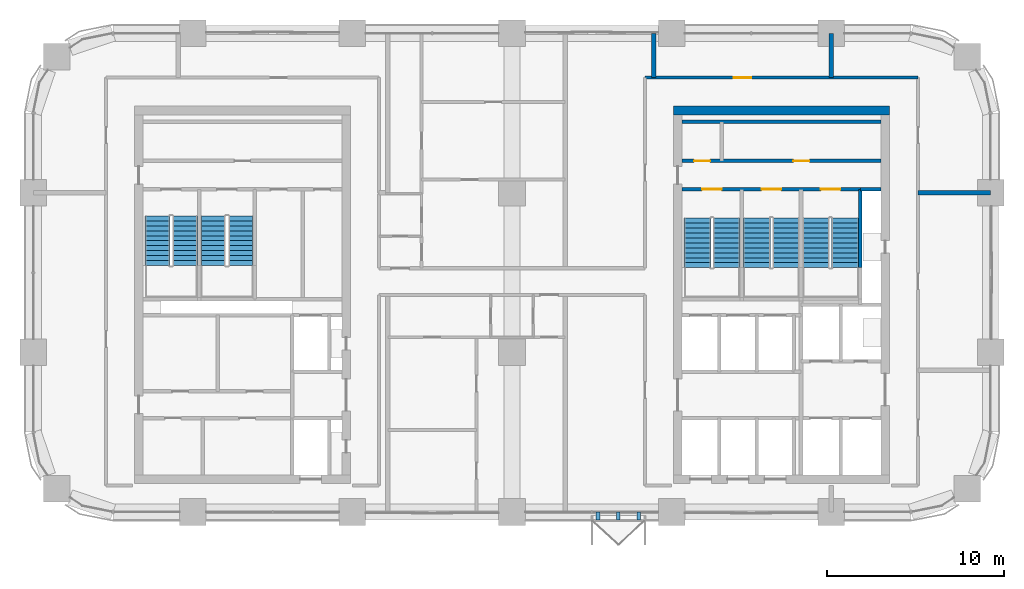
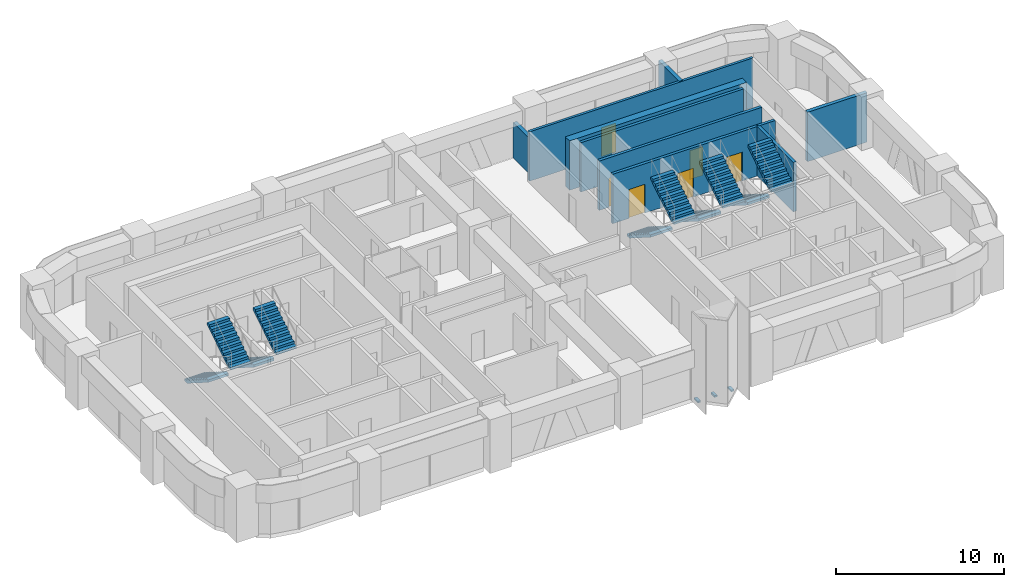
# One storey, part 12 of 14: 10 stair flights, 10 walls, 6 doors, 3 discrete accessories, 6 openings, 5 elements without a shape of their own.
"""IFC4 building model written with IfcOpenShell, lengths in metres."""

from ifc_helpers import new_model, si_unit, direction, frame, frame_2d, origin, origin_2d, place, context, subcontext, project, spatial, polyline, rectangle, outline, extrude, material, layer, layer_set, type_object, element, fill, aggregate, save


model = new_model("IFC4")

# Units and contexts
model_context = context("Model", 3, precision=1e-05, world=origin(), true_north=direction((0.0, 1.0)))
body_context = subcontext(model_context, "Body", "Model", "MODEL_VIEW")
ifc_project = project(units=[si_unit("LENGTHUNIT", "METRE"), si_unit("AREAUNIT", "SQUARE_METRE"), si_unit("VOLUMEUNIT", "CUBIC_METRE"), si_unit("PLANEANGLEUNIT", "RADIAN"), si_unit("MASSUNIT", "GRAM", prefix="KILO")], contexts=[model_context])

# Site, building, storey
site_placement = place(None, origin())
site = spatial("IfcSite", under=ifc_project, at=site_placement, CompositionType="ELEMENT")
building_placement = place(site_placement, origin())
building = spatial("IfcBuilding", under=site, at=building_placement, Name="Tessera Arch", CompositionType="ELEMENT")
storey_placement = place(building_placement, frame((0.0, 0.0, 134.89990234375)))
storey = spatial("IfcBuildingStorey", under=building, at=storey_placement, Name="L31", CompositionType="ELEMENT", Elevation=134.89990234375)

# Wall, openings, doors
ifc_material_1 = material(Name="Gypsum board on steel stud", Category="steel")
ifc_layer_1 = layer(ifc_material_1, 0.125)
ifc_layer_set_1 = layer_set([ifc_layer_1], Name="Core partition 125 EI 60")
wall_type_1 = type_object("IfcWallType", Name="Core partition 125 EI 60", PredefinedType="PARTITIONING", material=ifc_layer_set_1)
wall_1_placement = place(storey_placement, frame((36.60009765625, 46.800048828125, 0.0), z_axis=(0.0, 0.0, 1.0), x_axis=(1.0, 0.0, 0.0)))
wall_1 = element("IfcWall", 1, at=wall_1_placement, inside=storey, type_object=wall_type_1, Name="L31 C1 partition wall 31", PredefinedType="PARTITIONING", context=body_context, shape_type="SweptSolid", body=[
    extrude(rectangle(XDim=11.199951171875, YDim=0.199951171875, at=frame_2d((5.60009765625, 0.0))), origin(), (0.0, 0.0, 1.0), 3.60009765625),
])
opening_1_placement = place(wall_1_placement, frame((0.669921875, 0.0, 0.0)))
opening_1 = element("IfcOpeningElement", 2, at=opening_1_placement, cuts=wall_1, Name="Opening L31-C18", PredefinedType="OPENING", context=body_context, shape_type="SweptSolid", body=[
    extrude(rectangle(XDim=0.89990234375, YDim=2.10009765625, at=frame_2d((0.449951171875, 1.050048828125))), frame((0.0, 0.10986328125, 0.0), z_axis=(0.0, -1.0, 0.0), x_axis=(1.0, 0.0, 0.0)), (0.0, 0.0, 1.0), 0.219970703125),
])
opening_2_placement = place(wall_1_placement, frame((6.27001953125, 0.0, 0.0)))
opening_2 = element("IfcOpeningElement", 3, at=opening_2_placement, cuts=wall_1, Name="Opening L31-C19", PredefinedType="OPENING", context=body_context, shape_type="SweptSolid", body=[
    extrude(rectangle(XDim=0.89990234375, YDim=2.10009765625, at=frame_2d((0.449951171875, 1.050048828125))), frame((0.0, 0.10986328125, 0.0), z_axis=(0.0, -1.0, 0.0), x_axis=(1.0, 0.0, 0.0)), (0.0, 0.0, 1.0), 0.219970703125),
])
ifc_material_2 = material(Name="Steel door leaf", Category="steel")
door_type_1 = type_object("IfcDoorType", Name="Store door FD30S 900 x 2100", OperationType="SINGLE_SWING_LEFT", PredefinedType="DOOR", material=ifc_material_2)
door_1_placement = place(opening_1_placement, origin())
door_1 = element("IfcDoor", 4, at=door_1_placement, inside=storey, type_object=door_type_1, Name="L31 C1 door 18 C18 type D09", OperationType="SINGLE_SWING_LEFT", OverallHeight=2.10009765625, OverallWidth=0.89990234375, PredefinedType="DOOR", context=body_context, shape_type="SweptSolid", body=[
    extrude(rectangle(XDim=0.89990234375, YDim=2.10009765625, at=frame_2d((0.449951171875, 1.050048828125))), frame((0.0, 0.02490234375, 0.0), z_axis=(0.0, -1.0, 0.0), x_axis=(1.0, 0.0, 0.0)), (0.0, 0.0, 1.0), 0.050048828125),
])
fill(opening_1, door_1)
door_2_placement = place(opening_2_placement, origin())
door_2 = element("IfcDoor", 5, at=door_2_placement, inside=storey, type_object=door_type_1, Name="L31 C1 door 19 C19 type D09", OperationType="SINGLE_SWING_RIGHT", OverallHeight=2.10009765625, OverallWidth=0.89990234375, PredefinedType="DOOR", context=body_context, shape_type="SweptSolid", body=[
    extrude(rectangle(XDim=0.89990234375, YDim=2.10009765625, at=frame_2d((0.449951171875, 1.050048828125))), frame((0.0, 0.02490234375, 0.0), z_axis=(0.0, -1.0, 0.0), x_axis=(1.0, 0.0, 0.0)), (0.0, 0.0, 1.0), 0.050048828125),
])
fill(opening_2, door_2)

# Walls
wall_2_placement = place(storey_placement, frame((36.60009765625, 49.0, 0.0), z_axis=(0.0, 0.0, 1.0), x_axis=(1.0, 0.0, 0.0)))
element("IfcWall", 6, at=wall_2_placement, inside=storey, type_object=wall_type_1, Name="L31 C1 partition wall 32", PredefinedType="PARTITIONING", context=body_context, shape_type="SweptSolid", body=[
    extrude(rectangle(XDim=11.199951171875, YDim=0.199951171875, at=frame_2d((5.60009765625, 0.0))), origin(), (0.0, 0.0, 1.0), 3.60009765625),
])
ifc_material_3 = material(Name="Concrete C60/75", Category="concrete")
ifc_layer_2 = layer(ifc_material_3, 0.5)
ifc_layer_set_2 = layer_set([ifc_layer_2], Name="Core shell wall 500 C60-75")
wall_type_2 = type_object("IfcWallType", Name="Core shell wall 500 C60-75", PredefinedType="SHEAR", material=ifc_layer_set_2)
wall_3_placement = place(storey_placement, frame((36.10009765625, 49.64990234375, 0.0), z_axis=(0.0, 0.0, 1.0), x_axis=(1.0, 0.0, 0.0)))
element("IfcWall", 7, at=wall_3_placement, inside=storey, type_object=wall_type_2, Name="L31 C1 core wall N", PredefinedType="SHEAR", context=body_context, shape_type="SweptSolid", body=[
    extrude(rectangle(XDim=12.199951171875, YDim=0.5, at=frame_2d((6.10009765625, 0.0))), origin(), (0.0, 0.0, 1.0), 3.60009765625),
])

# Wall, opening, door
ifc_material_4 = material(Name="Gypsum board on deep steel stud with mineral wool", Category="steel")
ifc_layer_3 = layer(ifc_material_4, 0.175048828125)
ifc_layer_set_3 = layer_set([ifc_layer_3], Name="Corridor wall 175 EI 60")
wall_type_3 = type_object("IfcWallType", Name="Corridor wall 175 EI 60", PredefinedType="PARTITIONING", material=ifc_layer_set_3)
wall_4_placement = place(storey_placement, frame((34.5, 51.5, 0.0), z_axis=(0.0, 0.0, 1.0), x_axis=(1.0, 0.0, 0.0)))
wall_4 = element("IfcWall", 8, at=wall_4_placement, inside=storey, type_object=wall_type_3, Name="L31 partition 8", PredefinedType="PARTITIONING", context=body_context, shape_type="SweptSolid", body=[
    extrude(rectangle(XDim=15.39990234375, YDim=0.175048828125, at=frame_2d((7.699951171875, 0.0))), origin(), (0.0, 0.0, 1.0), 3.60009765625),
])
opening_3_placement = place(wall_4_placement, frame((5.0, 0.0, 0.0)))
opening_3 = element("IfcOpeningElement", 9, at=opening_3_placement, cuts=wall_4, Name="Opening L31-D023", PredefinedType="OPENING", context=body_context, shape_type="SweptSolid", body=[
    extrude(rectangle(XDim=1.0, YDim=2.10009765625, at=frame_2d((0.5, 1.050048828125))), frame((0.0, 0.097412109375, 0.0), z_axis=(0.0, -1.0, 0.0), x_axis=(1.0, 0.0, 0.0)), (0.0, 0.0, 1.0), 0.195068359375),
])
ifc_material_5 = material(Name="Fire-rated door leaf")
door_type_2 = type_object("IfcDoorType", Name="Entrance door FD30S 1000 x 2100", OperationType="SINGLE_SWING_LEFT", PredefinedType="DOOR", material=ifc_material_5)
door_3_placement = place(opening_3_placement, origin())
door_3 = element("IfcDoor", 10, at=door_3_placement, inside=storey, type_object=door_type_2, Name="L31 door D023 type D03", OperationType="SINGLE_SWING_RIGHT", OverallHeight=2.10009765625, OverallWidth=1.0, PredefinedType="DOOR", context=body_context, shape_type="SweptSolid", body=[
    extrude(rectangle(XDim=1.0, YDim=2.10009765625, at=frame_2d((0.5, 1.050048828125))), frame((0.0, 0.02490234375, 0.0), z_axis=(0.0, -1.0, 0.0), x_axis=(1.0, 0.0, 0.0)), (0.0, 0.0, 1.0), 0.050048828125),
])
fill(opening_3, door_3)

# Walls
ifc_material_6 = material(Name="Double gypsum board on twin steel stud with acoustic mineral wool", Category="steel")
ifc_layer_4 = layer(ifc_material_6, 0.25)
ifc_layer_set_4 = layer_set([ifc_layer_4], Name="Party wall 250 EI 60")
wall_type_4 = type_object("IfcWallType", Name="Party wall 250 EI 60", PredefinedType="PARTITIONING", material=ifc_layer_set_4)
wall_5_placement = place(storey_placement, frame((49.89990234375, 45.0, 0.0), z_axis=(0.0, 0.0, 1.0), x_axis=(1.0, 0.0, 0.0)))
element("IfcWall", 11, at=wall_5_placement, inside=storey, type_object=wall_type_4, Name="L31 partition 27", PredefinedType="PARTITIONING", context=body_context, shape_type="SweptSolid", body=[
    extrude(rectangle(XDim=4.10009765625, YDim=0.25, at=frame_2d((2.050048828125, 0.0))), origin(), (0.0, 0.0, 1.0), 3.60009765625),
])
wall_6_placement = place(storey_placement, frame((35.0, 51.5, 0.0), z_axis=(0.0, 0.0, 1.0), x_axis=(0.0, 1.0, 0.0)))
element("IfcWall", 12, at=wall_6_placement, inside=storey, type_object=wall_type_4, Name="L31 partition 33", PredefinedType="PARTITIONING", context=body_context, shape_type="SweptSolid", body=[
    extrude(rectangle(XDim=2.5, YDim=0.25, at=frame_2d((1.25, 0.0))), origin(), (0.0, 0.0, 1.0), 2.60009765625),
])
wall_7_placement = place(storey_placement, frame((45.0, 51.5, 0.0), z_axis=(0.0, 0.0, 1.0), x_axis=(0.0, 1.0, 0.0)))
element("IfcWall", 13, at=wall_7_placement, inside=storey, type_object=wall_type_4, Name="L31 partition 35", PredefinedType="PARTITIONING", context=body_context, shape_type="SweptSolid", body=[
    extrude(rectangle(XDim=2.5, YDim=0.25, at=frame_2d((1.25, 0.0))), origin(), (0.0, 0.0, 1.0), 3.60009765625),
])
ifc_material_7 = material(Name="Concrete C40/50", Category="concrete")
ifc_layer_5 = layer(ifc_material_7, 0.199951171875)
ifc_layer_set_5 = layer_set([ifc_layer_5], Name="Shaft wall 200 EI 120")
wall_type_5 = type_object("IfcWallType", Name="Shaft wall 200 EI 120", PredefinedType="SOLIDWALL", material=ifc_layer_set_5)
wall_8_placement = place(storey_placement, frame((46.64990234375, 45.199951171875, 0.0), z_axis=(0.0, 0.0, 1.0), x_axis=(1.0, 0.0, 0.0)))
element("IfcWall", 14, at=wall_8_placement, inside=storey, type_object=wall_type_5, Name="L31 C1 shaft wall 29", PredefinedType="SOLIDWALL", context=body_context, shape_type="SweptSolid", body=[
    extrude(rectangle(XDim=1.150146484375, YDim=0.199951171875, at=frame_2d((0.5751953125, 0.0))), origin(), (0.0, 0.0, 1.0), 3.60009765625),
])
ifc_material_8 = material(Name="Concrete C40/50", Category="concrete")
ifc_layer_6 = layer(ifc_material_8, 0.199951171875)
ifc_layer_set_6 = layer_set([ifc_layer_6], Name="Stair well wall 200 REI 180")
wall_type_6 = type_object("IfcWallType", Name="Stair well wall 200 REI 180", PredefinedType="SOLIDWALL", material=ifc_layer_set_6)
wall_9_placement = place(storey_placement, frame((46.64990234375, 40.780029296875, 0.0), z_axis=(0.0, 0.0, 1.0), x_axis=(0.0, 1.0, 0.0)))
element("IfcWall", 15, at=wall_9_placement, inside=storey, type_object=wall_type_6, Name="L31 C1 shaft wall 17", PredefinedType="SOLIDWALL", context=body_context, shape_type="SweptSolid", body=[
    extrude(rectangle(XDim=4.419921875, YDim=0.199951171875, at=frame_2d((2.2099609375, 0.0))), origin(), (0.0, 0.0, 1.0), 3.60009765625),
])

# Wall, openings, doors
wall_10_placement = place(storey_placement, frame((36.60009765625, 45.199951171875, 0.0), z_axis=(0.0, 0.0, 1.0), x_axis=(1.0, 0.0, 0.0)))
wall_10 = element("IfcWall", 16, at=wall_10_placement, inside=storey, type_object=wall_type_6, Name="L31 C1 shaft wall 30", PredefinedType="SOLIDWALL", context=body_context, shape_type="SweptSolid", body=[
    extrude(rectangle(XDim=10.0498046875, YDim=0.199951171875, at=frame_2d((5.02490234375, 0.0))), origin(), (0.0, 0.0, 1.0), 3.60009765625),
])
opening_4_placement = place(wall_10_placement, frame((1.125, 0.0, 0.0)))
opening_4 = element("IfcOpeningElement", 17, at=opening_4_placement, cuts=wall_10, Name="Opening L31-C11", PredefinedType="OPENING", context=body_context, shape_type="SweptSolid", body=[
    extrude(rectangle(XDim=1.10009765625, YDim=2.10009765625, at=frame_2d((0.550048828125, 1.050048828125))), frame((0.0, 0.10986328125, 0.0), z_axis=(0.0, -1.0, 0.0), x_axis=(1.0, 0.0, 0.0)), (0.0, 0.0, 1.0), 0.219970703125),
])
opening_5_placement = place(wall_10_placement, frame((4.47509765625, 0.0, 0.0)))
opening_5 = element("IfcOpeningElement", 18, at=opening_5_placement, cuts=wall_10, Name="Opening L31-C12", PredefinedType="OPENING", context=body_context, shape_type="SweptSolid", body=[
    extrude(rectangle(XDim=1.10009765625, YDim=2.10009765625, at=frame_2d((0.550048828125, 1.050048828125))), frame((0.0, 0.10986328125, 0.0), z_axis=(0.0, -1.0, 0.0), x_axis=(1.0, 0.0, 0.0)), (0.0, 0.0, 1.0), 0.219970703125),
])
opening_6_placement = place(wall_10_placement, frame((7.824951171875, 0.0, 0.0)))
opening_6 = element("IfcOpeningElement", 19, at=opening_6_placement, cuts=wall_10, Name="Opening L31-C13", PredefinedType="OPENING", context=body_context, shape_type="SweptSolid", body=[
    extrude(rectangle(XDim=1.10009765625, YDim=2.10009765625, at=frame_2d((0.550048828125, 1.050048828125))), frame((0.0, 0.10986328125, 0.0), z_axis=(0.0, -1.0, 0.0), x_axis=(1.0, 0.0, 0.0)), (0.0, 0.0, 1.0), 0.219970703125),
])
ifc_material_9 = material(Name="Steel door leaf", Category="steel")
door_type_3 = type_object("IfcDoorType", Name="Stair door FD60 1100 x 2100", OperationType="SINGLE_SWING_LEFT", PredefinedType="DOOR", material=ifc_material_9)
door_4_placement = place(opening_4_placement, origin())
door_4 = element("IfcDoor", 20, at=door_4_placement, inside=storey, type_object=door_type_3, Name="L31 C1 door 11 C11 type D05", OperationType="SINGLE_SWING_LEFT", OverallHeight=2.10009765625, OverallWidth=1.10009765625, PredefinedType="DOOR", context=body_context, shape_type="SweptSolid", body=[
    extrude(rectangle(XDim=1.10009765625, YDim=2.10009765625, at=frame_2d((0.550048828125, 1.050048828125))), frame((0.0, 0.02490234375, 0.0), z_axis=(0.0, -1.0, 0.0), x_axis=(1.0, 0.0, 0.0)), (0.0, 0.0, 1.0), 0.050048828125),
])
fill(opening_4, door_4)
door_5_placement = place(opening_5_placement, origin())
door_5 = element("IfcDoor", 21, at=door_5_placement, inside=storey, type_object=door_type_3, Name="L31 C1 door 12 C12 type D05", OperationType="SINGLE_SWING_RIGHT", OverallHeight=2.10009765625, OverallWidth=1.10009765625, PredefinedType="DOOR", context=body_context, shape_type="SweptSolid", body=[
    extrude(rectangle(XDim=1.10009765625, YDim=2.10009765625, at=frame_2d((0.550048828125, 1.050048828125))), frame((0.0, 0.02490234375, 0.0), z_axis=(0.0, -1.0, 0.0), x_axis=(1.0, 0.0, 0.0)), (0.0, 0.0, 1.0), 0.050048828125),
])
fill(opening_5, door_5)
door_6_placement = place(opening_6_placement, origin())
door_6 = element("IfcDoor", 22, at=door_6_placement, inside=storey, type_object=door_type_3, Name="L31 C1 door 13 C13 type D05", OperationType="SINGLE_SWING_RIGHT", OverallHeight=2.10009765625, OverallWidth=1.10009765625, PredefinedType="DOOR", context=body_context, shape_type="SweptSolid", body=[
    extrude(rectangle(XDim=1.10009765625, YDim=2.10009765625, at=frame_2d((0.550048828125, 1.050048828125))), frame((0.0, 0.02490234375, 0.0), z_axis=(0.0, -1.0, 0.0), x_axis=(1.0, 0.0, 0.0)), (0.0, 0.0, 1.0), 0.050048828125),
])
fill(opening_6, door_6)

# Stair, stair flights
ifc_material_10 = material(Name="Concrete C40/50", Category="concrete")
stair_type_1 = type_object("IfcStairType", Name="Dogleg stair 1400", PredefinedType="HALF_TURN_STAIR", material=ifc_material_10)
stair_1_placement = place(storey_placement, origin())
stair_1 = element("IfcStair", 23, at=stair_1_placement, inside=storey, type_object=stair_type_1, Name="L31 S2a", PredefinedType="HALF_TURN_STAIR")
ifc_material_11 = material(Name="Concrete C40/50", Category="concrete")
stair_flight_type_1 = type_object("IfcStairFlightType", Name="Stair flight 1400", PredefinedType="STRAIGHT", material=ifc_material_11)
stair_flight_1_placement = place(storey_placement, frame((7.0, 43.699951171875, 0.0), z_axis=(0.0, 0.0, 1.0), x_axis=(0.0, -1.0, 0.0)))
stair_flight_1 = element("IfcStairFlight", 24, at=stair_flight_1_placement, type_object=stair_flight_type_1, Name="S2a flight 1", NumberOfRisers=11, NumberOfTreads=10, PredefinedType="STRAIGHT", RiserHeight=0.177272727, TreadLength=0.28, context=body_context, shape_type="SweptSolid", body=[
    extrude(outline(polyline([(0.0, 0.0), (0.0, 0.17724609375), (0.280029296875, 0.17724609375), (0.280029296875, 0.3544921875), (0.56005859375, 0.3544921875), (0.56005859375, 0.53173828125), (0.840087890625, 0.53173828125), (0.840087890625, 0.708984375), (1.1201171875, 0.708984375), (1.1201171875, 0.886474609375), (1.39990234375, 0.886474609375), (1.39990234375, 1.063720703125), (1.679931640625, 1.063720703125), (1.679931640625, 1.240966796875), (1.9599609375, 1.240966796875), (1.9599609375, 1.418212890625), (2.239990234375, 1.418212890625), (2.239990234375, 1.595458984375), (2.52001953125, 1.595458984375), (2.52001953125, 1.772705078125), (2.800048828125, 1.772705078125), (2.800048828125, 1.949951171875), (2.800048828125, 1.59521484375), (0.2802734375, 0.0), (0.0, 0.0)])), frame((0.0, 0.699951171875, 0.0), z_axis=(0.0, -1.0, 0.0), x_axis=(1.0, 0.0, 0.0)), (0.0, 0.0, 1.0), 1.39990234375),
])
stair_flight_2_placement = place(storey_placement, frame((8.550048828125, 40.89990234375, 1.9501953125), z_axis=(0.0, 0.0, 1.0), x_axis=(0.0, 1.0, 0.0)))
stair_flight_2 = element("IfcStairFlight", 25, at=stair_flight_2_placement, type_object=stair_flight_type_1, Name="S2a flight 2", NumberOfRisers=11, NumberOfTreads=10, PredefinedType="STRAIGHT", RiserHeight=0.177272727, TreadLength=0.28, context=body_context, shape_type="SweptSolid", body=[
    extrude(outline(polyline([(0.0, 0.0), (0.0, 0.17724609375), (0.280029296875, 0.17724609375), (0.280029296875, 0.3544921875), (0.56005859375, 0.3544921875), (0.56005859375, 0.53173828125), (0.840087890625, 0.53173828125), (0.840087890625, 0.708984375), (1.1201171875, 0.708984375), (1.1201171875, 0.886474609375), (1.39990234375, 0.886474609375), (1.39990234375, 1.063720703125), (1.679931640625, 1.063720703125), (1.679931640625, 1.240966796875), (1.9599609375, 1.240966796875), (1.9599609375, 1.418212890625), (2.239990234375, 1.418212890625), (2.239990234375, 1.595458984375), (2.52001953125, 1.595458984375), (2.52001953125, 1.772705078125), (2.800048828125, 1.772705078125), (2.800048828125, 1.949951171875), (2.800048828125, 1.59521484375), (0.2802734375, 0.0), (0.0, 0.0)])), frame((0.0, 0.699951171875, 0.0), z_axis=(0.0, -1.0, 0.0), x_axis=(1.0, 0.0, 0.0)), (0.0, 0.0, 1.0), 1.39990234375),
])
aggregate(stair_1, [stair_flight_1, stair_flight_2])

stair_2_placement = place(storey_placement, origin())
stair_2 = element("IfcStair", 26, at=stair_2_placement, inside=storey, type_object=stair_type_1, Name="L31 S2b", PredefinedType="HALF_TURN_STAIR")
stair_flight_3_placement = place(storey_placement, frame((10.14990234375, 43.699951171875, 0.0), z_axis=(0.0, 0.0, 1.0), x_axis=(0.0, -1.0, 0.0)))
stair_flight_3 = element("IfcStairFlight", 27, at=stair_flight_3_placement, type_object=stair_flight_type_1, Name="S2b flight 1", NumberOfRisers=11, NumberOfTreads=10, PredefinedType="STRAIGHT", RiserHeight=0.177272727, TreadLength=0.28, context=body_context, shape_type="SweptSolid", body=[
    extrude(outline(polyline([(0.0, 0.0), (0.0, 0.17724609375), (0.280029296875, 0.17724609375), (0.280029296875, 0.3544921875), (0.56005859375, 0.3544921875), (0.56005859375, 0.53173828125), (0.840087890625, 0.53173828125), (0.840087890625, 0.708984375), (1.1201171875, 0.708984375), (1.1201171875, 0.886474609375), (1.39990234375, 0.886474609375), (1.39990234375, 1.063720703125), (1.679931640625, 1.063720703125), (1.679931640625, 1.240966796875), (1.9599609375, 1.240966796875), (1.9599609375, 1.418212890625), (2.239990234375, 1.418212890625), (2.239990234375, 1.595458984375), (2.52001953125, 1.595458984375), (2.52001953125, 1.772705078125), (2.800048828125, 1.772705078125), (2.800048828125, 1.949951171875), (2.800048828125, 1.59521484375), (0.2802734375, 0.0), (0.0, 0.0)])), frame((0.0, 0.699951171875, 0.0), z_axis=(0.0, -1.0, 0.0), x_axis=(1.0, 0.0, 0.0)), (0.0, 0.0, 1.0), 1.39990234375),
])
stair_flight_4_placement = place(storey_placement, frame((11.699951171875, 40.89990234375, 1.9501953125), z_axis=(0.0, 0.0, 1.0), x_axis=(0.0, 1.0, 0.0)))
stair_flight_4 = element("IfcStairFlight", 28, at=stair_flight_4_placement, type_object=stair_flight_type_1, Name="S2b flight 2", NumberOfRisers=11, NumberOfTreads=10, PredefinedType="STRAIGHT", RiserHeight=0.177272727, TreadLength=0.28, context=body_context, shape_type="SweptSolid", body=[
    extrude(outline(polyline([(0.0, 0.0), (0.0, 0.17724609375), (0.280029296875, 0.17724609375), (0.280029296875, 0.3544921875), (0.56005859375, 0.3544921875), (0.56005859375, 0.53173828125), (0.840087890625, 0.53173828125), (0.840087890625, 0.708984375), (1.1201171875, 0.708984375), (1.1201171875, 0.886474609375), (1.39990234375, 0.886474609375), (1.39990234375, 1.063720703125), (1.679931640625, 1.063720703125), (1.679931640625, 1.240966796875), (1.9599609375, 1.240966796875), (1.9599609375, 1.418212890625), (2.239990234375, 1.418212890625), (2.239990234375, 1.595458984375), (2.52001953125, 1.595458984375), (2.52001953125, 1.772705078125), (2.800048828125, 1.772705078125), (2.800048828125, 1.949951171875), (2.800048828125, 1.59521484375), (0.2802734375, 0.0), (0.0, 0.0)])), frame((0.0, 0.699951171875, 0.0), z_axis=(0.0, -1.0, 0.0), x_axis=(1.0, 0.0, 0.0)), (0.0, 0.0, 1.0), 1.39990234375),
])
aggregate(stair_2, [stair_flight_3, stair_flight_4])

ifc_material_12 = material(Name="Concrete C40/50", Category="concrete")
stair_type_2 = type_object("IfcStairType", Name="Dogleg stair 1520", PredefinedType="HALF_TURN_STAIR", material=ifc_material_12)
stair_3_placement = place(storey_placement, origin())
stair_3 = element("IfcStair", 29, at=stair_3_placement, inside=storey, type_object=stair_type_2, Name="L31 S1a", PredefinedType="HALF_TURN_STAIR")
ifc_material_13 = material(Name="Concrete C40/50", Category="concrete")
stair_flight_type_2 = type_object("IfcStairFlightType", Name="Stair flight 1520", PredefinedType="STRAIGHT", material=ifc_material_13)
stair_flight_5_placement = place(storey_placement, frame((37.4599609375, 43.580078125, 0.0), z_axis=(0.0, 0.0, 1.0), x_axis=(0.0, -1.0, 0.0)))
stair_flight_5 = element("IfcStairFlight", 30, at=stair_flight_5_placement, type_object=stair_flight_type_2, Name="S1a flight 1", NumberOfRisers=11, NumberOfTreads=10, PredefinedType="STRAIGHT", RiserHeight=0.177272727, TreadLength=0.28, context=body_context, shape_type="SweptSolid", body=[
    extrude(outline(polyline([(0.0, 0.0), (0.0, 0.17724609375), (0.280029296875, 0.17724609375), (0.280029296875, 0.3544921875), (0.56005859375, 0.3544921875), (0.56005859375, 0.53173828125), (0.840087890625, 0.53173828125), (0.840087890625, 0.708984375), (1.1201171875, 0.708984375), (1.1201171875, 0.886474609375), (1.39990234375, 0.886474609375), (1.39990234375, 1.063720703125), (1.679931640625, 1.063720703125), (1.679931640625, 1.240966796875), (1.9599609375, 1.240966796875), (1.9599609375, 1.418212890625), (2.239990234375, 1.418212890625), (2.239990234375, 1.595458984375), (2.52001953125, 1.595458984375), (2.52001953125, 1.772705078125), (2.800048828125, 1.772705078125), (2.800048828125, 1.949951171875), (2.800048828125, 1.59521484375), (0.2802734375, 0.0), (0.0, 0.0)])), frame((0.0, 0.760009765625, 0.0), z_axis=(0.0, -1.0, 0.0), x_axis=(1.0, 0.0, 0.0)), (0.0, 0.0, 1.0), 1.52001953125),
])
stair_flight_6_placement = place(storey_placement, frame((39.090087890625, 40.780029296875, 1.9501953125), z_axis=(0.0, 0.0, 1.0), x_axis=(0.0, 1.0, 0.0)))
stair_flight_6 = element("IfcStairFlight", 31, at=stair_flight_6_placement, type_object=stair_flight_type_2, Name="S1a flight 2", NumberOfRisers=11, NumberOfTreads=10, PredefinedType="STRAIGHT", RiserHeight=0.177272727, TreadLength=0.28, context=body_context, shape_type="SweptSolid", body=[
    extrude(outline(polyline([(0.0, 0.0), (0.0, 0.17724609375), (0.280029296875, 0.17724609375), (0.280029296875, 0.3544921875), (0.56005859375, 0.3544921875), (0.56005859375, 0.53173828125), (0.840087890625, 0.53173828125), (0.840087890625, 0.708984375), (1.1201171875, 0.708984375), (1.1201171875, 0.886474609375), (1.39990234375, 0.886474609375), (1.39990234375, 1.063720703125), (1.679931640625, 1.063720703125), (1.679931640625, 1.240966796875), (1.9599609375, 1.240966796875), (1.9599609375, 1.418212890625), (2.239990234375, 1.418212890625), (2.239990234375, 1.595458984375), (2.52001953125, 1.595458984375), (2.52001953125, 1.772705078125), (2.800048828125, 1.772705078125), (2.800048828125, 1.949951171875), (2.800048828125, 1.59521484375), (0.2802734375, 0.0), (0.0, 0.0)])), frame((0.0, 0.760009765625, 0.0), z_axis=(0.0, -1.0, 0.0), x_axis=(1.0, 0.0, 0.0)), (0.0, 0.0, 1.0), 1.52001953125),
])
aggregate(stair_3, [stair_flight_5, stair_flight_6])

stair_4_placement = place(storey_placement, origin())
stair_4 = element("IfcStair", 32, at=stair_4_placement, inside=storey, type_object=stair_type_2, Name="L31 S1b", PredefinedType="HALF_TURN_STAIR")
stair_flight_7_placement = place(storey_placement, frame((40.81005859375, 43.580078125, 0.0), z_axis=(0.0, 0.0, 1.0), x_axis=(0.0, -1.0, 0.0)))
stair_flight_7 = element("IfcStairFlight", 33, at=stair_flight_7_placement, type_object=stair_flight_type_2, Name="S1b flight 1", NumberOfRisers=11, NumberOfTreads=10, PredefinedType="STRAIGHT", RiserHeight=0.177272727, TreadLength=0.28, context=body_context, shape_type="SweptSolid", body=[
    extrude(outline(polyline([(0.0, 0.0), (0.0, 0.17724609375), (0.280029296875, 0.17724609375), (0.280029296875, 0.3544921875), (0.56005859375, 0.3544921875), (0.56005859375, 0.53173828125), (0.840087890625, 0.53173828125), (0.840087890625, 0.708984375), (1.1201171875, 0.708984375), (1.1201171875, 0.886474609375), (1.39990234375, 0.886474609375), (1.39990234375, 1.063720703125), (1.679931640625, 1.063720703125), (1.679931640625, 1.240966796875), (1.9599609375, 1.240966796875), (1.9599609375, 1.418212890625), (2.239990234375, 1.418212890625), (2.239990234375, 1.595458984375), (2.52001953125, 1.595458984375), (2.52001953125, 1.772705078125), (2.800048828125, 1.772705078125), (2.800048828125, 1.949951171875), (2.800048828125, 1.59521484375), (0.2802734375, 0.0), (0.0, 0.0)])), frame((0.0, 0.760009765625, 0.0), z_axis=(0.0, -1.0, 0.0), x_axis=(1.0, 0.0, 0.0)), (0.0, 0.0, 1.0), 1.52001953125),
])
stair_flight_8_placement = place(storey_placement, frame((42.43994140625, 40.780029296875, 1.9501953125), z_axis=(0.0, 0.0, 1.0), x_axis=(0.0, 1.0, 0.0)))
stair_flight_8 = element("IfcStairFlight", 34, at=stair_flight_8_placement, type_object=stair_flight_type_2, Name="S1b flight 2", NumberOfRisers=11, NumberOfTreads=10, PredefinedType="STRAIGHT", RiserHeight=0.177272727, TreadLength=0.28, context=body_context, shape_type="SweptSolid", body=[
    extrude(outline(polyline([(0.0, 0.0), (0.0, 0.17724609375), (0.280029296875, 0.17724609375), (0.280029296875, 0.3544921875), (0.56005859375, 0.3544921875), (0.56005859375, 0.53173828125), (0.840087890625, 0.53173828125), (0.840087890625, 0.708984375), (1.1201171875, 0.708984375), (1.1201171875, 0.886474609375), (1.39990234375, 0.886474609375), (1.39990234375, 1.063720703125), (1.679931640625, 1.063720703125), (1.679931640625, 1.240966796875), (1.9599609375, 1.240966796875), (1.9599609375, 1.418212890625), (2.239990234375, 1.418212890625), (2.239990234375, 1.595458984375), (2.52001953125, 1.595458984375), (2.52001953125, 1.772705078125), (2.800048828125, 1.772705078125), (2.800048828125, 1.949951171875), (2.800048828125, 1.59521484375), (0.2802734375, 0.0), (0.0, 0.0)])), frame((0.0, 0.760009765625, 0.0), z_axis=(0.0, -1.0, 0.0), x_axis=(1.0, 0.0, 0.0)), (0.0, 0.0, 1.0), 1.52001953125),
])
aggregate(stair_4, [stair_flight_7, stair_flight_8])

stair_5_placement = place(storey_placement, origin())
stair_5 = element("IfcStair", 35, at=stair_5_placement, inside=storey, type_object=stair_type_2, Name="L31 S1c", PredefinedType="HALF_TURN_STAIR")
stair_flight_9_placement = place(storey_placement, frame((44.159912109375, 43.580078125, 0.0), z_axis=(0.0, 0.0, 1.0), x_axis=(0.0, -1.0, 0.0)))
stair_flight_9 = element("IfcStairFlight", 36, at=stair_flight_9_placement, type_object=stair_flight_type_2, Name="S1c flight 1", NumberOfRisers=11, NumberOfTreads=10, PredefinedType="STRAIGHT", RiserHeight=0.177272727, TreadLength=0.28, context=body_context, shape_type="SweptSolid", body=[
    extrude(outline(polyline([(0.0, 0.0), (0.0, 0.17724609375), (0.280029296875, 0.17724609375), (0.280029296875, 0.3544921875), (0.56005859375, 0.3544921875), (0.56005859375, 0.53173828125), (0.840087890625, 0.53173828125), (0.840087890625, 0.708984375), (1.1201171875, 0.708984375), (1.1201171875, 0.886474609375), (1.39990234375, 0.886474609375), (1.39990234375, 1.063720703125), (1.679931640625, 1.063720703125), (1.679931640625, 1.240966796875), (1.9599609375, 1.240966796875), (1.9599609375, 1.418212890625), (2.239990234375, 1.418212890625), (2.239990234375, 1.595458984375), (2.52001953125, 1.595458984375), (2.52001953125, 1.772705078125), (2.800048828125, 1.772705078125), (2.800048828125, 1.949951171875), (2.800048828125, 1.59521484375), (0.2802734375, 0.0), (0.0, 0.0)])), frame((0.0, 0.760009765625, 0.0), z_axis=(0.0, -1.0, 0.0), x_axis=(1.0, 0.0, 0.0)), (0.0, 0.0, 1.0), 1.52001953125),
])
stair_flight_10_placement = place(storey_placement, frame((45.7900390625, 40.780029296875, 1.9501953125), z_axis=(0.0, 0.0, 1.0), x_axis=(0.0, 1.0, 0.0)))
stair_flight_10 = element("IfcStairFlight", 37, at=stair_flight_10_placement, type_object=stair_flight_type_2, Name="S1c flight 2", NumberOfRisers=11, NumberOfTreads=10, PredefinedType="STRAIGHT", RiserHeight=0.177272727, TreadLength=0.28, context=body_context, shape_type="SweptSolid", body=[
    extrude(outline(polyline([(0.0, 0.0), (0.0, 0.17724609375), (0.280029296875, 0.17724609375), (0.280029296875, 0.3544921875), (0.56005859375, 0.3544921875), (0.56005859375, 0.53173828125), (0.840087890625, 0.53173828125), (0.840087890625, 0.708984375), (1.1201171875, 0.708984375), (1.1201171875, 0.886474609375), (1.39990234375, 0.886474609375), (1.39990234375, 1.063720703125), (1.679931640625, 1.063720703125), (1.679931640625, 1.240966796875), (1.9599609375, 1.240966796875), (1.9599609375, 1.418212890625), (2.239990234375, 1.418212890625), (2.239990234375, 1.595458984375), (2.52001953125, 1.595458984375), (2.52001953125, 1.772705078125), (2.800048828125, 1.772705078125), (2.800048828125, 1.949951171875), (2.800048828125, 1.59521484375), (0.2802734375, 0.0), (0.0, 0.0)])), frame((0.0, 0.760009765625, 0.0), z_axis=(0.0, -1.0, 0.0), x_axis=(1.0, 0.0, 0.0)), (0.0, 0.0, 1.0), 1.52001953125),
])
aggregate(stair_5, [stair_flight_9, stair_flight_10])

# Discrete accessories
for number, where, z_axis, x_axis, name in (
    (38, (31.85009765625, 26.780029296875, -0.119873046875), (0.0, 0.0, 1.0), (0.0, -1.0, 0.0), "Window box bracket"),
    (39, (33.0, 26.780029296875, -0.119873046875), (0.0, 0.0, 1.0), (0.0, -1.0, 0.0), "Window box bracket"),
    (40, (34.14990234375, 26.780029296875, -0.119873046875), (0.0, 0.0, 1.0), (0.0, -1.0, 0.0), "Window box bracket"),
):
    element("IfcDiscreteAccessory", number, at=place(storey_placement, frame(where, z_axis=z_axis, x_axis=x_axis)), inside=storey, Name=name, PredefinedType="BRACKET", context=body_context, shape_type="SweptSolid", body=[
        extrude(rectangle(XDim=0.43994140625, YDim=0.199951171875, at=origin_2d()), origin(), (0.0, 0.0, 1.0), 0.1201171875),
    ])

save(model, "model.ifc")
